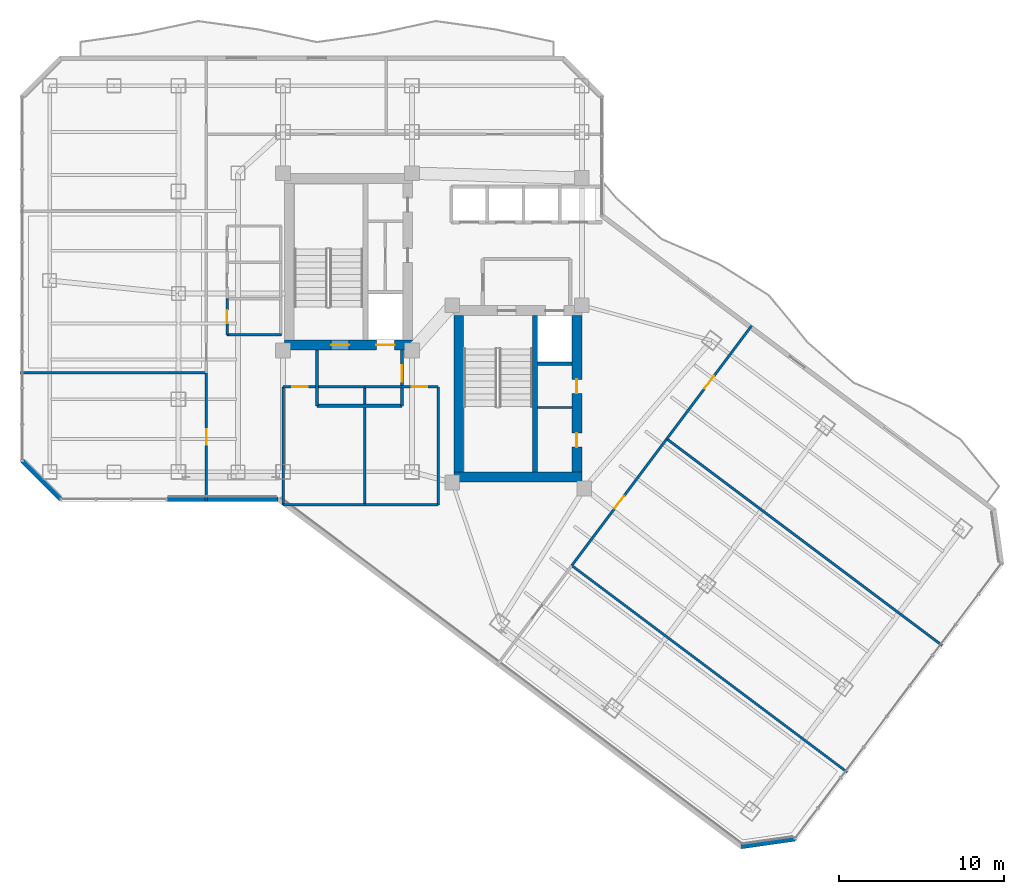
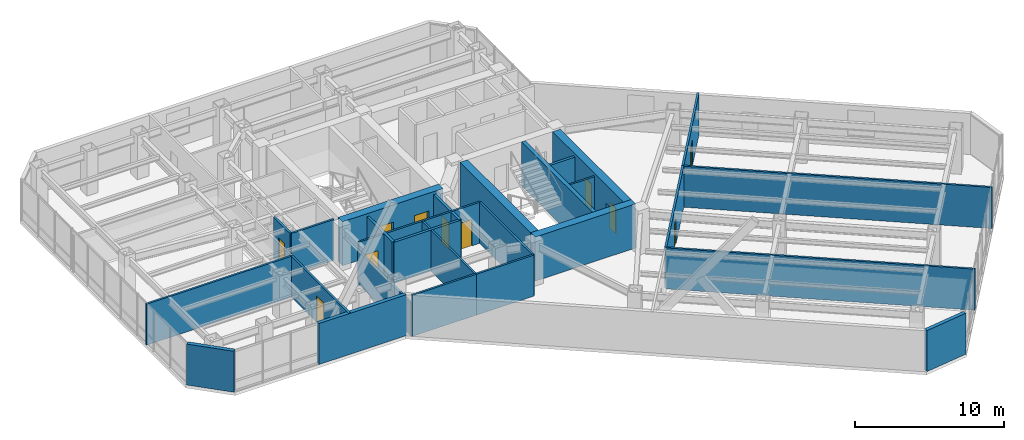
# One storey, part 22 of 29: 28 walls, 11 doors, 11 openings.
"""IFC4 building model written with IfcOpenShell, lengths in metres."""

from ifc_helpers import new_model, si_unit, direction, frame, frame_2d, origin, place, context, subcontext, project, spatial, rectangle, extrude, material, layer, layer_set, type_object, element, fill, save


model = new_model("IFC4")

# Units and contexts
model_context = context("Model", 3, precision=1e-05, world=origin(), true_north=direction((0.0, 1.0)))
body_context = subcontext(model_context, "Body", "Model", "MODEL_VIEW")
ifc_project = project(units=[si_unit("LENGTHUNIT", "METRE"), si_unit("AREAUNIT", "SQUARE_METRE"), si_unit("VOLUMEUNIT", "CUBIC_METRE"), si_unit("PLANEANGLEUNIT", "RADIAN"), si_unit("MASSUNIT", "GRAM", prefix="KILO")], contexts=[model_context])

# Site, building, storey
site_placement = place(None, origin())
site = spatial("IfcSite", under=ifc_project, at=site_placement, CompositionType="ELEMENT")
building_placement = place(site_placement, origin())
building = spatial("IfcBuilding", under=site, at=building_placement, Name="Hatsunagi Terrace Concourse", CompositionType="ELEMENT")
storey_placement = place(building_placement, frame((0.0, 0.0, 108.449951171875)))
storey = spatial("IfcBuildingStorey", under=building, at=storey_placement, Name="L28", CompositionType="ELEMENT", Elevation=108.449951171875)

# Wall, openings, doors
ifc_material_1 = material(Name="Concrete Fc48", Category="concrete")
ifc_layer_1 = layer(ifc_material_1, 0.60009765625)
ifc_layer_set_1 = layer_set([ifc_layer_1], Name="CoreShearWall_Fc48_600")
wall_type_1 = type_object("IfcWallType", Name="CoreShearWall_Fc48_600", PredefinedType="SHEAR", material=ifc_layer_set_1)
wall_1_placement = place(storey_placement, frame((25.6201171875, 32.889892578125, 0.0), z_axis=(0.0, 0.0, 1.0), x_axis=(1.0, 0.0, 0.0)))
wall_1 = element("IfcWall", 1, at=wall_1_placement, inside=storey, type_object=wall_type_1, Name="Core A Shear Wall S L28", PredefinedType="SHEAR", context=body_context, shape_type="SweptSolid", body=[
    extrude(rectangle(XDim=7.77978515625, YDim=0.60009765625, at=frame_2d((3.889892578125, 0.0))), origin(), (0.0, 0.0, 1.0), 3.60009765625),
])
opening_1_placement = place(wall_1_placement, frame((2.830078125, 0.0, 0.0)))
opening_1 = element("IfcOpeningElement", 2, at=opening_1_placement, cuts=wall_1, Name="Opening DR-110S", PredefinedType="OPENING", context=body_context, shape_type="SweptSolid", body=[
    extrude(rectangle(XDim=1.10009765625, YDim=2.199951171875, at=frame_2d((0.550048828125, 1.10009765625))), frame((0.0, 0.31005859375, 0.0), z_axis=(0.0, -1.0, 0.0), x_axis=(1.0, 0.0, 0.0)), (0.0, 0.0, 1.0), 0.6201171875),
])
opening_2_placement = place(wall_1_placement, frame((5.580078125, 0.0, 0.0)))
opening_2 = element("IfcOpeningElement", 3, at=opening_2_placement, cuts=wall_1, Name="Opening LD-01", PredefinedType="OPENING", context=body_context, shape_type="SweptSolid", body=[
    extrude(rectangle(XDim=1.10009765625, YDim=2.14990234375, at=frame_2d((0.550048828125, 1.074951171875))), frame((0.0, 0.31005859375, 0.0), z_axis=(0.0, -1.0, 0.0), x_axis=(1.0, 0.0, 0.0)), (0.0, 0.0, 1.0), 0.6201171875),
])
ifc_material_2 = material(Name="Stainless steel", Category="steel")
door_type_1 = type_object("IfcDoorType", Name="LiftLandingDoor_LD01", OperationType="SLIDING_TO_LEFT", PredefinedType="USERDEFINED", material=ifc_material_2)
door_1_placement = place(opening_2_placement, origin())
door_1 = element("IfcDoor", 4, at=door_1_placement, inside=storey, type_object=door_type_1, Name="Lift landing door FF-01 L28", ObjectType="SLIDING_LANDING_DOOR", OperationType="SLIDING_TO_LEFT", OverallHeight=2.14990234375, OverallWidth=1.10009765625, PredefinedType="USERDEFINED", context=body_context, shape_type="SweptSolid", body=[
    extrude(rectangle(XDim=1.10009765625, YDim=2.14990234375, at=frame_2d((0.550048828125, 1.074951171875))), frame((0.0, 0.02490234375, 0.0), z_axis=(0.0, -1.0, 0.0), x_axis=(1.0, 0.0, 0.0)), (0.0, 0.0, 1.0), 0.050048828125),
])
fill(opening_2, door_1)
ifc_material_3 = material(Name="Painted steel", Category="steel")
door_type_2 = type_object("IfcDoorType", Name="StairFireDoor_EI60_1100", OperationType="NOTDEFINED", PredefinedType="DOOR", material=ifc_material_3)
door_2_placement = place(opening_1_placement, origin())
door_2 = element("IfcDoor", 5, at=door_2_placement, inside=storey, type_object=door_type_2, Name="Stair ST-A Exit Door L28", OperationType="SINGLE_SWING_LEFT", OverallHeight=2.199951171875, OverallWidth=1.10009765625, PredefinedType="DOOR", context=body_context, shape_type="SweptSolid", body=[
    extrude(rectangle(XDim=1.10009765625, YDim=2.199951171875, at=frame_2d((0.550048828125, 1.10009765625))), frame((0.0, 0.02490234375, 0.0), z_axis=(0.0, -1.0, 0.0), x_axis=(1.0, 0.0, 0.0)), (0.0, 0.0, 1.0), 0.050048828125),
])
fill(opening_1, door_2)

# Walls
wall_2_placement = place(storey_placement, frame((35.889892578125, 24.889892578125, 0.0), z_axis=(0.0, 0.0, 1.0), x_axis=(1.0, 0.0, 0.0)))
element("IfcWall", 6, at=wall_2_placement, inside=storey, type_object=wall_type_1, Name="Core B Shear Wall S L28", PredefinedType="SHEAR", context=body_context, shape_type="SweptSolid", body=[
    extrude(rectangle(XDim=7.760009765625, YDim=0.60009765625, at=frame_2d((3.8798828125, 0.0))), origin(), (0.0, 0.0, 1.0), 3.60009765625),
])
wall_3_placement = place(storey_placement, frame((36.18994140625, 25.18994140625, 0.0), z_axis=(0.0, 0.0, 1.0), x_axis=(0.0, 1.0, 0.0)))
element("IfcWall", 7, at=wall_3_placement, inside=storey, type_object=wall_type_1, Name="Core B Shear Wall W L28", PredefinedType="SHEAR", context=body_context, shape_type="SweptSolid", body=[
    extrude(rectangle(XDim=9.47998046875, YDim=0.60009765625, at=frame_2d((4.739990234375, 0.0))), origin(), (0.0, 0.0, 1.0), 3.60009765625),
])

# Wall, openings, doors
wall_4_placement = place(storey_placement, frame((43.35009765625, 25.18994140625, 0.0), z_axis=(0.0, 0.0, 1.0), x_axis=(0.0, 1.0, 0.0)))
wall_4 = element("IfcWall", 8, at=wall_4_placement, inside=storey, type_object=wall_type_1, Name="Core B Shear Wall E L28", PredefinedType="SHEAR", context=body_context, shape_type="SweptSolid", body=[
    extrude(rectangle(XDim=9.47998046875, YDim=0.60009765625, at=frame_2d((4.739990234375, 0.0))), origin(), (0.0, 0.0, 1.0), 3.60009765625),
])
opening_3_placement = place(wall_4_placement, frame((1.510009765625, 0.0, 0.0)))
opening_3 = element("IfcOpeningElement", 9, at=opening_3_placement, cuts=wall_4, Name="Opening DR-085", PredefinedType="OPENING", context=body_context, shape_type="SweptSolid", body=[
    extrude(rectangle(XDim=0.85009765625, YDim=2.080078125, at=frame_2d((0.425048828125, 1.0400390625))), frame((0.0, 0.31005859375, 0.0), z_axis=(0.0, -1.0, 0.0), x_axis=(1.0, 0.0, 0.0)), (0.0, 0.0, 1.0), 0.6201171875),
])
opening_4_placement = place(wall_4_placement, frame((4.760009765625, 0.0, 0.0)))
opening_4 = element("IfcOpeningElement", 10, at=opening_4_placement, cuts=wall_4, Name="Opening DR-085", PredefinedType="OPENING", context=body_context, shape_type="SweptSolid", body=[
    extrude(rectangle(XDim=0.85009765625, YDim=2.080078125, at=frame_2d((0.425048828125, 1.0400390625))), frame((0.0, 0.31005859375, 0.0), z_axis=(0.0, -1.0, 0.0), x_axis=(1.0, 0.0, 0.0)), (0.0, 0.0, 1.0), 0.6201171875),
])
ifc_material_4 = material(Name="Painted steel", Category="steel")
door_type_3 = type_object("IfcDoorType", Name="RiserAccessDoor_EI60_850", OperationType="NOTDEFINED", PredefinedType="DOOR", material=ifc_material_4)
door_3_placement = place(opening_3_placement, origin())
door_3 = element("IfcDoor", 11, at=door_3_placement, inside=storey, type_object=door_type_3, Name="Core B Riser Door L28-1", OperationType="SINGLE_SWING_RIGHT", OverallHeight=2.080078125, OverallWidth=0.85009765625, PredefinedType="DOOR", context=body_context, shape_type="SweptSolid", body=[
    extrude(rectangle(XDim=0.85009765625, YDim=2.080078125, at=frame_2d((0.425048828125, 1.0400390625))), frame((0.0, 0.02490234375, 0.0), z_axis=(0.0, -1.0, 0.0), x_axis=(1.0, 0.0, 0.0)), (0.0, 0.0, 1.0), 0.050048828125),
])
fill(opening_3, door_3)
door_4_placement = place(opening_4_placement, origin())
door_4 = element("IfcDoor", 12, at=door_4_placement, inside=storey, type_object=door_type_3, Name="Core B Riser Door L28-2", OperationType="SINGLE_SWING_RIGHT", OverallHeight=2.080078125, OverallWidth=0.85009765625, PredefinedType="DOOR", context=body_context, shape_type="SweptSolid", body=[
    extrude(rectangle(XDim=0.85009765625, YDim=2.080078125, at=frame_2d((0.425048828125, 1.0400390625))), frame((0.0, 0.02490234375, 0.0), z_axis=(0.0, -1.0, 0.0), x_axis=(1.0, 0.0, 0.0)), (0.0, 0.0, 1.0), 0.050048828125),
])
fill(opening_4, door_4)

# Walls
ifc_material_5 = material(Name="Concrete Fc48", Category="concrete")
ifc_layer_2 = layer(ifc_material_5, 0.300048828125)
ifc_layer_set_2 = layer_set([ifc_layer_2], Name="CoreStairDivider_Fc48_300")
wall_type_2 = type_object("IfcWallType", Name="CoreStairDivider_Fc48_300", PredefinedType="SHEAR", material=ifc_layer_set_2)
wall_5_placement = place(storey_placement, frame((40.81005859375, 25.18994140625, 0.0), z_axis=(0.0, 0.0, 1.0), x_axis=(0.0, 1.0, 0.0)))
element("IfcWall", 13, at=wall_5_placement, inside=storey, type_object=wall_type_2, Name="Core B Shear Wall D L28", PredefinedType="SHEAR", context=body_context, shape_type="SweptSolid", body=[
    extrude(rectangle(XDim=9.47998046875, YDim=0.300048828125, at=frame_2d((4.739990234375, 0.0))), origin(), (0.0, 0.0, 1.0), 3.60009765625),
])
ifc_material_6 = material(Name="Acoustic mineral board", Category="gypsum")
ifc_layer_3 = layer(ifc_material_6, 0.14990234375)
ifc_layer_set_3 = layer_set([ifc_layer_3], Name="PartitionWall_EI60_150")
wall_type_3 = type_object("IfcWallType", Name="PartitionWall_EI60_150", PredefinedType="PARTITIONING", material=ifc_layer_set_3)
wall_6_placement = place(storey_placement, frame((40.969970703125, 29.10009765625, 0.0), z_axis=(0.0, 0.0, 1.0), x_axis=(1.0, 0.0, 0.0)))
element("IfcWall", 14, at=wall_6_placement, inside=storey, type_object=wall_type_3, Name="Interior Partition IW-L28-005", PredefinedType="PARTITIONING", context=body_context, shape_type="SweptSolid", body=[
    extrude(rectangle(XDim=2.080078125, YDim=0.14990234375, at=frame_2d((1.0400390625, 0.0))), origin(), (0.0, 0.0, 1.0), 3.35009765625),
])
wall_7_placement = place(storey_placement, frame((22.14990234375, 33.5, 0.0), z_axis=(0.0, 0.0, 1.0), x_axis=(1.0, 0.0, 0.0)))
element("IfcWall", 15, at=wall_7_placement, inside=storey, type_object=wall_type_3, Name="Interior Partition IW-L28-018", PredefinedType="PARTITIONING", context=body_context, shape_type="SweptSolid", body=[
    extrude(rectangle(XDim=3.300048828125, YDim=0.14990234375, at=frame_2d((1.64990234375, 0.0))), origin(), (0.0, 0.0, 1.0), 3.35009765625),
])

# Wall, opening, door
wall_8_placement = place(storey_placement, frame((22.14990234375, 33.5, 0.0), z_axis=(0.0, 0.0, 1.0), x_axis=(0.0, 1.0, 0.0)))
wall_8 = element("IfcWall", 16, at=wall_8_placement, inside=storey, type_object=wall_type_3, Name="Interior Partition IW-L28-023", PredefinedType="PARTITIONING", context=body_context, shape_type="SweptSolid", body=[
    extrude(rectangle(XDim=2.199951171875, YDim=0.14990234375, at=frame_2d((1.10009765625, 0.0))), origin(), (0.0, 0.0, 1.0), 3.35009765625),
])
opening_5_placement = place(wall_8_placement, frame((0.699951171875, 0.0, 0.0)))
opening_5 = element("IfcOpeningElement", 17, at=opening_5_placement, cuts=wall_8, Name="Opening DR-080", PredefinedType="OPENING", context=body_context, shape_type="SweptSolid", body=[
    extrude(rectangle(XDim=0.800048828125, YDim=2.06005859375, at=frame_2d((0.39990234375, 1.030029296875))), frame((0.0, 0.0849609375, 0.0), z_axis=(0.0, -1.0, 0.0), x_axis=(1.0, 0.0, 0.0)), (0.0, 0.0, 1.0), 0.169921875),
])
ifc_material_7 = material(Name="Hardwood timber", Category="wood")
door_type_4 = type_object("IfcDoorType", Name="BathroomDoor_800", OperationType="NOTDEFINED", PredefinedType="DOOR", material=ifc_material_7)
door_5_placement = place(opening_5_placement, origin())
door_5 = element("IfcDoor", 18, at=door_5_placement, inside=storey, type_object=door_type_4, Name="Accessible WC Door L28", OperationType="SINGLE_SWING_RIGHT", OverallHeight=2.06005859375, OverallWidth=0.800048828125, PredefinedType="DOOR", context=body_context, shape_type="SweptSolid", body=[
    extrude(rectangle(XDim=0.800048828125, YDim=2.06005859375, at=frame_2d((0.39990234375, 1.030029296875))), frame((0.0, 0.02490234375, 0.0), z_axis=(0.0, -1.0, 0.0), x_axis=(1.0, 0.0, 0.0)), (0.0, 0.0, 1.0), 0.050048828125),
])
fill(opening_5, door_5)

# Wall
wall_9_placement = place(storey_placement, frame((25.550048828125, 23.199951171875, 0.0), z_axis=(0.0, 0.0, 1.0), x_axis=(1.0, 0.0, 0.0)))
element("IfcWall", 19, at=wall_9_placement, inside=storey, type_object=wall_type_3, Name="Interior Partition IW-L28-026", PredefinedType="PARTITIONING", context=body_context, shape_type="SweptSolid", body=[
    extrude(rectangle(XDim=4.949951171875, YDim=0.14990234375, at=frame_2d((2.47509765625, 0.0))), origin(), (0.0, 0.0, 1.0), 3.35009765625),
])

# Wall, opening, door
wall_10_placement = place(storey_placement, frame((25.550048828125, 30.35009765625, 0.0), z_axis=(0.0, 0.0, 1.0), x_axis=(1.0, 0.0, 0.0)))
wall_10 = element("IfcWall", 20, at=wall_10_placement, inside=storey, type_object=wall_type_3, Name="Interior Partition IW-L28-027", PredefinedType="PARTITIONING", context=body_context, shape_type="SweptSolid", body=[
    extrude(rectangle(XDim=4.949951171875, YDim=0.14990234375, at=frame_2d((2.47509765625, 0.0))), origin(), (0.0, 0.0, 1.0), 3.35009765625),
])
opening_6_placement = place(wall_10_placement, frame((0.5419921875, 0.0, 0.0)))
opening_6 = element("IfcOpeningElement", 21, at=opening_6_placement, cuts=wall_10, Name="Opening DR-095", PredefinedType="OPENING", context=body_context, shape_type="SweptSolid", body=[
    extrude(rectangle(XDim=0.949951171875, YDim=2.14990234375, at=frame_2d((0.47509765625, 1.074951171875))), frame((0.0, 0.0849609375, 0.0), z_axis=(0.0, -1.0, 0.0), x_axis=(1.0, 0.0, 0.0)), (0.0, 0.0, 1.0), 0.169921875),
])
ifc_material_8 = material(Name="Hardwood timber", Category="wood")
door_type_5 = type_object("IfcDoorType", Name="InteriorSuiteDoor_EI30_950", OperationType="NOTDEFINED", PredefinedType="DOOR", material=ifc_material_8)
door_6_placement = place(opening_6_placement, origin())
door_6 = element("IfcDoor", 22, at=door_6_placement, inside=storey, type_object=door_type_5, Name="Executive Office L28-RECL1 Door", OperationType="SINGLE_SWING_RIGHT", OverallHeight=2.14990234375, OverallWidth=0.949951171875, PredefinedType="DOOR", context=body_context, shape_type="SweptSolid", body=[
    extrude(rectangle(XDim=0.949951171875, YDim=2.14990234375, at=frame_2d((0.47509765625, 1.074951171875))), frame((0.0, 0.02490234375, 0.0), z_axis=(0.0, -1.0, 0.0), x_axis=(1.0, 0.0, 0.0)), (0.0, 0.0, 1.0), 0.050048828125),
])
fill(opening_6, door_6)

# Walls
wall_11_placement = place(storey_placement, frame((25.550048828125, 23.199951171875, 0.0), z_axis=(0.0, 0.0, 1.0), x_axis=(0.0, 1.0, 0.0)))
element("IfcWall", 23, at=wall_11_placement, inside=storey, type_object=wall_type_3, Name="Interior Partition IW-L28-028", PredefinedType="PARTITIONING", context=body_context, shape_type="SweptSolid", body=[
    extrude(rectangle(XDim=7.150146484375, YDim=0.14990234375, at=frame_2d((3.5751953125, 0.0))), origin(), (0.0, 0.0, 1.0), 2.695068359375),
])
wall_12_placement = place(storey_placement, frame((30.5, 23.199951171875, 0.0), z_axis=(0.0, 0.0, 1.0), x_axis=(0.0, 1.0, 0.0)))
element("IfcWall", 24, at=wall_12_placement, inside=storey, type_object=wall_type_3, Name="Interior Partition IW-L28-029", PredefinedType="PARTITIONING", context=body_context, shape_type="SweptSolid", body=[
    extrude(rectangle(XDim=7.150146484375, YDim=0.14990234375, at=frame_2d((3.5751953125, 0.0))), origin(), (0.0, 0.0, 1.0), 3.35009765625),
])
wall_13_placement = place(storey_placement, frame((30.5, 23.199951171875, 0.0), z_axis=(0.0, 0.0, 1.0), x_axis=(1.0, 0.0, 0.0)))
element("IfcWall", 25, at=wall_13_placement, inside=storey, type_object=wall_type_3, Name="Interior Partition IW-L28-030", PredefinedType="PARTITIONING", context=body_context, shape_type="SweptSolid", body=[
    extrude(rectangle(XDim=4.449951171875, YDim=0.14990234375, at=frame_2d((2.22509765625, 0.0))), origin(), (0.0, 0.0, 1.0), 3.35009765625),
])

# Wall, opening, door
wall_14_placement = place(storey_placement, frame((30.5, 30.35009765625, 0.0), z_axis=(0.0, 0.0, 1.0), x_axis=(1.0, 0.0, 0.0)))
wall_14 = element("IfcWall", 26, at=wall_14_placement, inside=storey, type_object=wall_type_3, Name="Interior Partition IW-L28-031", PredefinedType="PARTITIONING", context=body_context, shape_type="SweptSolid", body=[
    extrude(rectangle(XDim=4.449951171875, YDim=0.14990234375, at=frame_2d((2.22509765625, 0.0))), origin(), (0.0, 0.0, 1.0), 3.35009765625),
])
opening_7_placement = place(wall_14_placement, frame((2.845947265625, 0.0, 0.0)))
opening_7 = element("IfcOpeningElement", 27, at=opening_7_placement, cuts=wall_14, Name="Opening DR-095", PredefinedType="OPENING", context=body_context, shape_type="SweptSolid", body=[
    extrude(rectangle(XDim=0.949951171875, YDim=2.14990234375, at=frame_2d((0.47509765625, 1.074951171875))), frame((0.0, 0.0849609375, 0.0), z_axis=(0.0, -1.0, 0.0), x_axis=(1.0, 0.0, 0.0)), (0.0, 0.0, 1.0), 0.169921875),
])
door_7_placement = place(opening_7_placement, origin())
door_7 = element("IfcDoor", 28, at=door_7_placement, inside=storey, type_object=door_type_5, Name="Client Consultation Room L28-RECL2 Door", OperationType="SINGLE_SWING_RIGHT", OverallHeight=2.14990234375, OverallWidth=0.949951171875, PredefinedType="DOOR", context=body_context, shape_type="SweptSolid", body=[
    extrude(rectangle(XDim=0.949951171875, YDim=2.14990234375, at=frame_2d((0.47509765625, 1.074951171875))), frame((0.0, 0.02490234375, 0.0), z_axis=(0.0, -1.0, 0.0), x_axis=(1.0, 0.0, 0.0)), (0.0, 0.0, 1.0), 0.050048828125),
])
fill(opening_7, door_7)

# Walls
wall_15_placement = place(storey_placement, frame((34.949951171875, 23.199951171875, 0.0), z_axis=(0.0, 0.0, 1.0), x_axis=(0.0, 1.0, 0.0)))
element("IfcWall", 29, at=wall_15_placement, inside=storey, type_object=wall_type_3, Name="Interior Partition IW-L28-032", PredefinedType="PARTITIONING", context=body_context, shape_type="SweptSolid", body=[
    extrude(rectangle(XDim=7.150146484375, YDim=0.14990234375, at=frame_2d((3.5751953125, 0.0))), origin(), (0.0, 0.0, 1.0), 3.35009765625),
])
wall_16_placement = place(storey_placement, frame((9.639892578125, 31.199951171875, 0.0), z_axis=(0.0, 0.0, 1.0), x_axis=(1.0, 0.0, 0.0)))
element("IfcWall", 30, at=wall_16_placement, inside=storey, type_object=wall_type_3, Name="Interior Partition IW-L28-033", PredefinedType="PARTITIONING", context=body_context, shape_type="SweptSolid", body=[
    extrude(rectangle(XDim=11.260009765625, YDim=0.14990234375, at=frame_2d((5.6298828125, 0.0))), origin(), (0.0, 0.0, 1.0), 3.35009765625),
])

# Wall, opening, door
wall_17_placement = place(storey_placement, frame((20.89990234375, 23.43994140625, 0.0), z_axis=(0.0, 0.0, 1.0), x_axis=(0.0, 1.0, 0.0)))
wall_17 = element("IfcWall", 31, at=wall_17_placement, inside=storey, type_object=wall_type_3, Name="Interior Partition IW-L28-034", PredefinedType="PARTITIONING", context=body_context, shape_type="SweptSolid", body=[
    extrude(rectangle(XDim=7.760009765625, YDim=0.14990234375, at=frame_2d((3.8798828125, 0.0))), origin(), (0.0, 0.0, 1.0), 3.35009765625),
])
opening_8_placement = place(wall_17_placement, frame((3.405029296875, 0.0, 0.0)))
opening_8 = element("IfcOpeningElement", 32, at=opening_8_placement, cuts=wall_17, Name="Opening DR-095", PredefinedType="OPENING", context=body_context, shape_type="SweptSolid", body=[
    extrude(rectangle(XDim=0.949951171875, YDim=2.14990234375, at=frame_2d((0.47509765625, 1.074951171875))), frame((0.0, 0.0849609375, 0.0), z_axis=(0.0, -1.0, 0.0), x_axis=(1.0, 0.0, 0.0)), (0.0, 0.0, 1.0), 0.169921875),
])
door_8_placement = place(opening_8_placement, origin())
door_8 = element("IfcDoor", 33, at=door_8_placement, inside=storey, type_object=door_type_5, Name="Design Studio L28-OW1 Door", OperationType="SINGLE_SWING_RIGHT", OverallHeight=2.14990234375, OverallWidth=0.949951171875, PredefinedType="DOOR", context=body_context, shape_type="SweptSolid", body=[
    extrude(rectangle(XDim=0.949951171875, YDim=2.14990234375, at=frame_2d((0.47509765625, 1.074951171875))), frame((0.0, 0.02490234375, 0.0), z_axis=(0.0, -1.0, 0.0), x_axis=(1.0, 0.0, 0.0)), (0.0, 0.0, 1.0), 0.050048828125),
])
fill(opening_8, door_8)

# Walls
wall_18_placement = place(storey_placement, frame((43.0400390625, 19.52001953125, 0.0), z_axis=(0.0, 0.0, 1.0), x_axis=(0.799997191095, -0.600003745189, 0.0)))
element("IfcWall", 34, at=wall_18_placement, inside=storey, type_object=wall_type_3, Name="Interior Partition IW-L28-041", PredefinedType="PARTITIONING", context=body_context, shape_type="SweptSolid", body=[
    extrude(rectangle(XDim=20.860107421875, YDim=0.14990234375, at=frame_2d((10.43017578125, 0.0))), origin(), (0.0, 0.0, 1.0), 3.35009765625),
])
wall_19_placement = place(storey_placement, frame((48.800048828125, 27.199951171875, 0.0), z_axis=(0.0, 0.0, 1.0), x_axis=(0.800002808908, -0.599996254772, 0.0)))
element("IfcWall", 35, at=wall_19_placement, inside=storey, type_object=wall_type_3, Name="Interior Partition IW-L28-043", PredefinedType="PARTITIONING", context=body_context, shape_type="SweptSolid", body=[
    extrude(rectangle(XDim=20.85986328125, YDim=0.14990234375, at=frame_2d((10.429931640625, 0.0))), origin(), (0.0, 0.0, 1.0), 3.35009765625),
])

# Wall, opening, door
wall_20_placement = place(storey_placement, frame((43.0400390625, 19.52001953125, 0.0), z_axis=(0.0, 0.0, 1.0), x_axis=(0.600004069023, 0.799996948216, 0.0)))
wall_20 = element("IfcWall", 36, at=wall_20_placement, inside=storey, type_object=wall_type_3, Name="Interior Partition IW-L28-044", PredefinedType="PARTITIONING", context=body_context, shape_type="SweptSolid", body=[
    extrude(rectangle(XDim=9.599853515625, YDim=0.14990234375, at=frame_2d((4.7998046875, 0.0))), origin(), (0.0, 0.0, 1.0), 3.35009765625),
])
opening_9_placement = place(wall_20_placement, frame((4.324951171875, 0.0, 0.0)))
opening_9 = element("IfcOpeningElement", 37, at=opening_9_placement, cuts=wall_20, Name="Opening DR-095", PredefinedType="OPENING", context=body_context, shape_type="SweptSolid", body=[
    extrude(rectangle(XDim=0.949951171875, YDim=2.14990234375, at=frame_2d((0.47509765625, 1.074951171875))), frame((0.0, 0.0849609375, 0.0), z_axis=(0.0, -1.0, 0.0), x_axis=(1.0, 0.0, 0.0)), (0.0, 0.0, 1.0), 0.169921875),
])
door_9_placement = place(opening_9_placement, origin())
door_9 = element("IfcDoor", 38, at=door_9_placement, inside=storey, type_object=door_type_5, Name="Team Innovation Studio L28-OSE2 Door", OperationType="SINGLE_SWING_RIGHT", OverallHeight=2.14990234375, OverallWidth=0.949951171875, PredefinedType="DOOR", context=body_context, shape_type="SweptSolid", body=[
    extrude(rectangle(XDim=0.949951171875, YDim=2.14990234375, at=frame_2d((0.47509765625, 1.074951171875))), frame((0.0, 0.02490234375, 0.0), z_axis=(0.0, -1.0, 0.0), x_axis=(1.0, 0.0, 0.0)), (0.0, 0.0, 1.0), 0.050048828125),
])
fill(opening_9, door_9)

wall_21_placement = place(storey_placement, frame((48.800048828125, 27.199951171875, 0.0), z_axis=(0.0, 0.0, 1.0), x_axis=(0.599990873323, 0.800006844926, 0.0)))
wall_21 = element("IfcWall", 39, at=wall_21_placement, inside=storey, type_object=wall_type_3, Name="Interior Partition IW-L28-045", PredefinedType="PARTITIONING", context=body_context, shape_type="SweptSolid", body=[
    extrude(rectangle(XDim=8.56005859375, YDim=0.14990234375, at=frame_2d((4.280029296875, 0.0))), origin(), (0.0, 0.0, 1.0), 3.35009765625),
])
opening_10_placement = place(wall_21_placement, frame((3.804931640625, 0.0, 0.0)))
opening_10 = element("IfcOpeningElement", 40, at=opening_10_placement, cuts=wall_21, Name="Opening DR-095", PredefinedType="OPENING", context=body_context, shape_type="SweptSolid", body=[
    extrude(rectangle(XDim=0.949951171875, YDim=2.14990234375, at=frame_2d((0.47509765625, 1.074951171875))), frame((0.0, 0.0849609375, 0.0), z_axis=(0.0, -1.0, 0.0), x_axis=(1.0, 0.0, 0.0)), (0.0, 0.0, 1.0), 0.169921875),
])
door_10_placement = place(opening_10_placement, origin())
door_10 = element("IfcDoor", 41, at=door_10_placement, inside=storey, type_object=door_type_5, Name="Research Focus Suite L28-OSE3 Door", OperationType="SINGLE_SWING_RIGHT", OverallHeight=2.14990234375, OverallWidth=0.949951171875, PredefinedType="DOOR", context=body_context, shape_type="SweptSolid", body=[
    extrude(rectangle(XDim=0.949951171875, YDim=2.14990234375, at=frame_2d((0.47509765625, 1.074951171875))), frame((0.0, 0.02490234375, 0.0), z_axis=(0.0, -1.0, 0.0), x_axis=(1.0, 0.0, 0.0)), (0.0, 0.0, 1.0), 0.050048828125),
])
fill(opening_10, door_10)

# Walls
ifc_material_9 = material(Name="Acoustic mineral board", Category="gypsum")
ifc_layer_4 = layer(ifc_material_9, 0.199951171875)
ifc_layer_set_4 = layer_set([ifc_layer_4], Name="ShaftWall_EI120_200")
wall_type_4 = type_object("IfcWallType", Name="ShaftWall_EI120_200", PredefinedType="STANDARD", material=ifc_layer_set_4)
wall_22_placement = place(storey_placement, frame((40.969970703125, 31.760009765625, 0.0), z_axis=(0.0, 0.0, 1.0), x_axis=(1.0, 0.0, 0.0)))
element("IfcWall", 42, at=wall_22_placement, inside=storey, type_object=wall_type_4, Name="Interior Partition IW-L28-004", PredefinedType="STANDARD", context=body_context, shape_type="SweptSolid", body=[
    extrude(rectangle(XDim=2.080078125, YDim=0.199951171875, at=frame_2d((1.0400390625, 0.0))), origin(), (0.0, 0.0, 1.0), 3.35009765625),
])
wall_23_placement = place(storey_placement, frame((27.60009765625, 29.199951171875, 0.0), z_axis=(0.0, 0.0, 1.0), x_axis=(1.0, 0.0, 0.0)))
element("IfcWall", 43, at=wall_23_placement, inside=storey, type_object=wall_type_4, Name="Interior Partition IW-L28-006", PredefinedType="STANDARD", context=body_context, shape_type="SweptSolid", body=[
    extrude(rectangle(XDim=5.14990234375, YDim=0.199951171875, at=frame_2d((2.574951171875, 0.0))), origin(), (0.0, 0.0, 1.0), 3.35009765625),
])
wall_24_placement = place(storey_placement, frame((27.60009765625, 29.199951171875, 0.0), z_axis=(0.0, 0.0, 1.0), x_axis=(0.0, 1.0, 0.0)))
element("IfcWall", 44, at=wall_24_placement, inside=storey, type_object=wall_type_4, Name="Interior Partition IW-L28-007", PredefinedType="STANDARD", context=body_context, shape_type="SweptSolid", body=[
    extrude(rectangle(XDim=3.39013671875, YDim=0.199951171875, at=frame_2d((1.695068359375, 0.0))), origin(), (0.0, 0.0, 1.0), 3.35009765625),
])

# Wall, opening, door
wall_25_placement = place(storey_placement, frame((32.75, 29.199951171875, 0.0), z_axis=(0.0, 0.0, 1.0), x_axis=(0.0, 1.0, 0.0)))
wall_25 = element("IfcWall", 45, at=wall_25_placement, inside=storey, type_object=wall_type_4, Name="Interior Partition IW-L28-008", PredefinedType="STANDARD", context=body_context, shape_type="SweptSolid", body=[
    extrude(rectangle(XDim=3.39013671875, YDim=0.199951171875, at=frame_2d((1.695068359375, 0.0))), origin(), (0.0, 0.0, 1.0), 3.35009765625),
])
opening_11_placement = place(wall_25_placement, frame((1.449951171875, 0.0, 0.0)))
opening_11 = element("IfcOpeningElement", 46, at=opening_11_placement, cuts=wall_25, Name="Opening DR-100F", PredefinedType="OPENING", context=body_context, shape_type="SweptSolid", body=[
    extrude(rectangle(XDim=1.0, YDim=2.199951171875, at=frame_2d((0.5, 1.10009765625))), frame((0.0, 0.10986328125, 0.0), z_axis=(0.0, -1.0, 0.0), x_axis=(1.0, 0.0, 0.0)), (0.0, 0.0, 1.0), 0.219970703125),
])
ifc_material_10 = material(Name="Painted steel", Category="steel")
door_type_6 = type_object("IfcDoorType", Name="FireDoor_EI60_1000", OperationType="NOTDEFINED", PredefinedType="DOOR", material=ifc_material_10)
door_11_placement = place(opening_11_placement, origin())
door_11 = element("IfcDoor", 47, at=door_11_placement, inside=storey, type_object=door_type_6, Name="Firefighting Lobby A Door L28", OperationType="SINGLE_SWING_RIGHT", OverallHeight=2.199951171875, OverallWidth=1.0, PredefinedType="DOOR", context=body_context, shape_type="SweptSolid", body=[
    extrude(rectangle(XDim=1.0, YDim=2.199951171875, at=frame_2d((0.5, 1.10009765625))), frame((0.0, 0.02490234375, 0.0), z_axis=(0.0, -1.0, 0.0), x_axis=(1.0, 0.0, 0.0)), (0.0, 0.0, 1.0), 0.050048828125),
])
fill(opening_11, door_11)

# Walls
ifc_material_11 = material(Name="Autoclaved Lightweight Concrete and Terracotta Cladding", Category="masonry")
ifc_layer_5 = layer(ifc_material_11, 0.280029296875)
ifc_layer_set_5 = layer_set([ifc_layer_5], Name="TerracottaSpandrelWall_280")
wall_type_5 = type_object("IfcWallType", Name="TerracottaSpandrelWall_280", PredefinedType="STANDARD", material=ifc_layer_set_5)
wall_26_placement = place(storey_placement, frame((56.56298828125, 2.949951171875, 0.0), z_axis=(0.0, 0.0, 1.0), x_axis=(-0.989977778067, -0.141223223777, 0.0)))
element("IfcWall", 48, at=wall_26_placement, inside=storey, type_object=wall_type_5, Name="Exterior Spandrel Wall EW-L28-04", PredefinedType="STANDARD", context=body_context, shape_type="SweptSolid", body=[
    extrude(rectangle(XDim=3.27783203125, YDim=0.280029296875, at=frame_2d((1.638916015625, 0.0))), origin(), (0.0, 0.0, 1.0), 3.35009765625),
])
wall_27_placement = place(storey_placement, frame((25.2470703125, 23.5400390625, 0.0), z_axis=(0.0, 0.0, 1.0), x_axis=(-1.0, 0.0, 0.0)))
element("IfcWall", 49, at=wall_27_placement, inside=storey, type_object=wall_type_5, Name="Exterior Spandrel Wall EW-L28-06", PredefinedType="STANDARD", context=body_context, shape_type="SweptSolid", body=[
    extrude(rectangle(XDim=6.7470703125, YDim=0.280029296875, at=frame_2d((3.37353515625, 0.0))), origin(), (0.0, 0.0, 1.0), 3.35009765625),
])
wall_28_placement = place(storey_placement, frame((12.05810546875, 23.5400390625, 0.0), z_axis=(0.0, 0.0, 1.0), x_axis=(-0.707144017911, 0.707069542501, 0.0)))
element("IfcWall", 50, at=wall_28_placement, inside=storey, type_object=wall_type_5, Name="Exterior Spandrel Wall EW-L28-08", PredefinedType="STANDARD", context=body_context, shape_type="SweptSolid", body=[
    extrude(rectangle(XDim=3.278076171875, YDim=0.280029296875, at=frame_2d((1.63916015625, 0.0))), origin(), (0.0, 0.0, 1.0), 3.35009765625),
])

save(model, "model.ifc")
